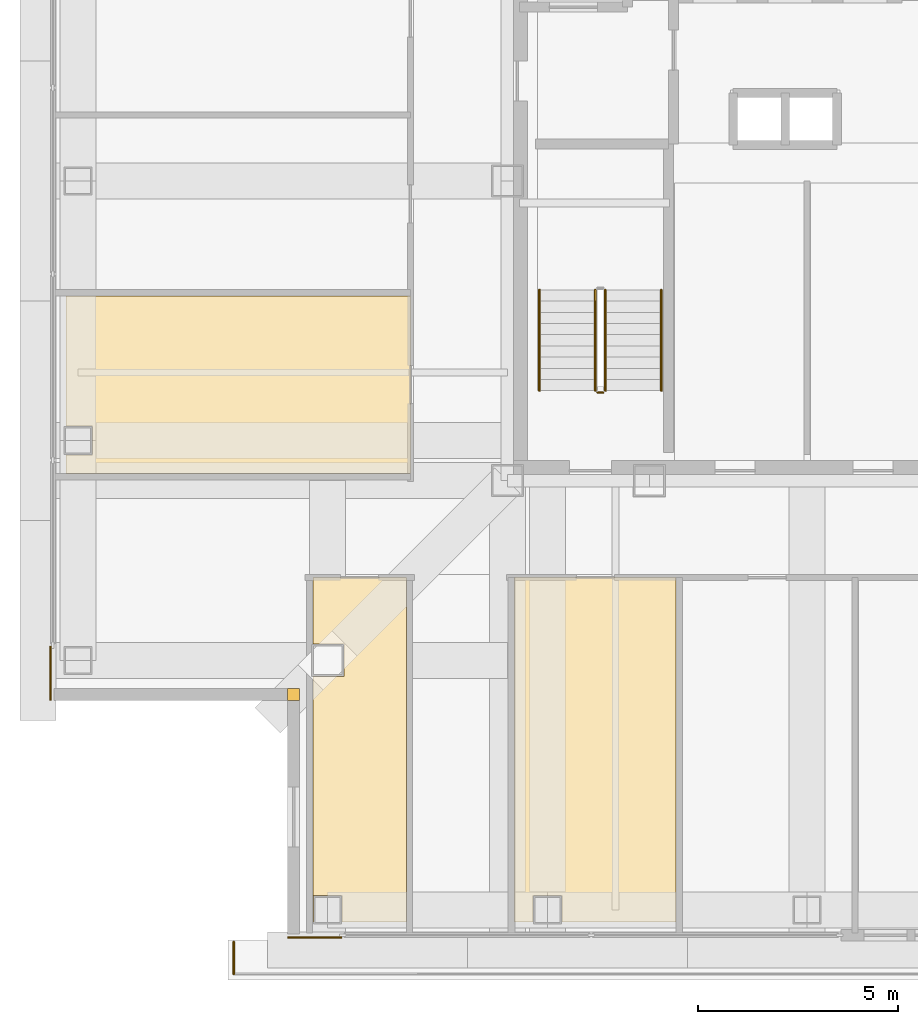
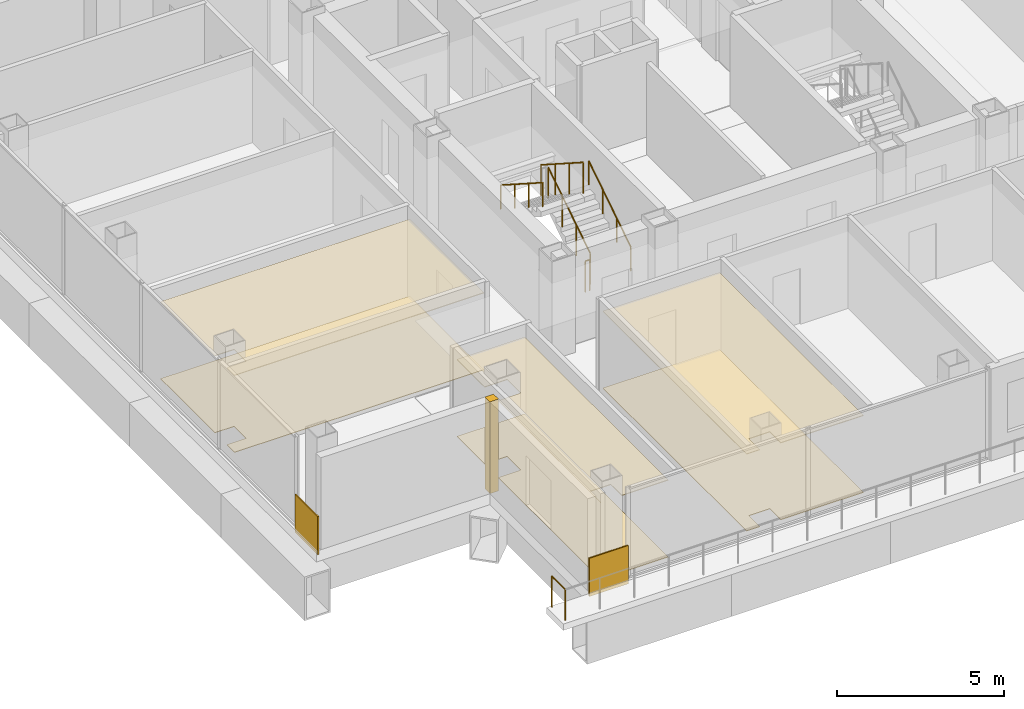
# One storey, part 10 of 15: 9 coverings, 6 railings.
"""IFC4 building model written with IfcOpenShell, lengths in metres."""

from ifc_helpers import new_model, si_unit, direction, frame, frame_2d, origin, origin_2d, place, context, subcontext, project, spatial, polyline, rectangle, circle, outline, extrude, material, layer, layer_set, type_object, element, save


model = new_model("IFC4")

# Units and contexts
model_context = context("Model", 3, precision=1e-05, world=origin(), true_north=direction((0.0, 1.0)))
body_context = subcontext(model_context, "Body", "Model", "MODEL_VIEW")
ifc_project = project(units=[si_unit("LENGTHUNIT", "METRE"), si_unit("AREAUNIT", "SQUARE_METRE"), si_unit("VOLUMEUNIT", "CUBIC_METRE"), si_unit("PLANEANGLEUNIT", "RADIAN"), si_unit("MASSUNIT", "GRAM", prefix="KILO")], contexts=[model_context])

# Site, building, storey
site_placement = place(None, origin())
site = spatial("IfcSite", under=ifc_project, at=site_placement, CompositionType="ELEMENT")
building_placement = place(site_placement, origin())
building = spatial("IfcBuilding", under=site, at=building_placement, Name="Trevonay Congress Spire", CompositionType="ELEMENT")
storey_placement = place(building_placement, frame((0.0, 0.0, 232.39990234375)))
storey = spatial("IfcBuildingStorey", under=building, at=storey_placement, Name="L60", CompositionType="ELEMENT", Elevation=232.39990234375)

# Coverings
ifc_material_1 = material(Name="Acoustic Mineral Fibre Board", Category="gypsum")
ifc_layer_1 = layer(ifc_material_1, 0.02490234375, Name="Acoustic Mineral Fibre Board")
ifc_layer_set_1 = layer_set([ifc_layer_1], Name="Acoustic Mineral Fibre Board")
covering_type_1 = type_object("IfcCoveringType", Name="COV-CEIL-ACOUSTIC", PredefinedType="CEILING", material=ifc_layer_set_1)
covering_1_placement = place(storey_placement, frame((0.0, 0.0, 2.81005859375)))
element("IfcCovering", 1, at=covering_1_placement, inside=storey, type_object=covering_type_1, Name="L60 Ambassador Corner Office acoustic suspended ceiling", PredefinedType="CEILING", context=body_context, shape_type="SweptSolid", body=[
    extrude(outline(polyline([(-12.3701171875, -18.550048828125), (-12.3701171875, -12.409912109375), (-11.590087890625, -12.409912109375), (-11.590087890625, -11.590087890625), (-12.3701171875, -11.590087890625), (-12.3701171875, -9.929931640625), (-10.030029296875, -9.929931640625), (-10.030029296875, -18.550048828125), (-11.639892578125, -18.550048828125), (-11.639892578125, -17.889892578125), (-12.360107421875, -17.889892578125), (-12.360107421875, -18.550048828125), (-12.3701171875, -18.550048828125)])), origin(), (0.0, 0.0, 1.0), 0.025146484375),
])
covering_2_placement = place(storey_placement, frame((0.0, 0.0, 2.81005859375)))
element("IfcCovering", 2, at=covering_2_placement, inside=storey, type_object=covering_type_1, Name="L60 Consular Visa Office acoustic suspended ceiling", PredefinedType="CEILING", context=body_context, shape_type="SweptSolid", body=[
    extrude(outline(polyline([(-7.320068359375, -18.550048828125), (-7.320068359375, -9.929931640625), (-3.280029296875, -9.929931640625), (-3.280029296875, -18.550048828125), (-6.139892578125, -18.550048828125), (-6.139892578125, -17.889892578125), (-6.860107421875, -17.889892578125), (-6.860107421875, -18.550048828125), (-7.320068359375, -18.550048828125)])), origin(), (0.0, 0.0, 1.0), 0.025146484375),
])
covering_3_placement = place(storey_placement, frame((0.0, 0.0, 2.81005859375)))
element("IfcCovering", 3, at=covering_3_placement, inside=storey, type_object=covering_type_1, Name="L60 Cultural Attache Office acoustic suspended ceiling", PredefinedType="CEILING", context=body_context, shape_type="SweptSolid", body=[
    extrude(outline(polyline([(-18.550048828125, -2.8798828125), (-9.929931640625, -2.8798828125), (-9.929931640625, -7.320068359375), (-18.550048828125, -7.320068359375), (-18.550048828125, -6.860107421875), (-17.889892578125, -6.860107421875), (-17.889892578125, -6.139892578125), (-18.550048828125, -6.139892578125), (-18.550048828125, -2.8798828125)])), origin(), (0.0, 0.0, 1.0), 0.025146484375),
])
ifc_material_2 = material(Name="Engineered Oak Flooring", Category="wood")
ifc_layer_2 = layer(ifc_material_2, 0.01806640625, Name="Engineered Oak Flooring")
ifc_layer_set_2 = layer_set([ifc_layer_2], Name="Engineered Oak Flooring")
covering_type_2 = type_object("IfcCoveringType", Name="COV-FLOOR-TIMBER", PredefinedType="FLOORING", material=ifc_layer_set_2)
covering_4_placement = place(storey_placement, origin())
element("IfcCovering", 4, at=covering_4_placement, inside=storey, type_object=covering_type_2, Name="L60 Ambassador Corner Office floor finish", PredefinedType="FLOORING", context=body_context, shape_type="SweptSolid", body=[
    extrude(outline(polyline([(-12.3701171875, -18.550048828125), (-12.3701171875, -12.409912109375), (-11.590087890625, -12.409912109375), (-11.590087890625, -11.590087890625), (-12.3701171875, -11.590087890625), (-12.3701171875, -9.929931640625), (-10.030029296875, -9.929931640625), (-10.030029296875, -18.550048828125), (-11.639892578125, -18.550048828125), (-11.639892578125, -17.889892578125), (-12.360107421875, -17.889892578125), (-12.360107421875, -18.550048828125), (-12.3701171875, -18.550048828125)])), origin(), (0.0, 0.0, 1.0), 0.01806640625),
])
covering_5_placement = place(storey_placement, origin())
element("IfcCovering", 5, at=covering_5_placement, inside=storey, type_object=covering_type_2, Name="L60 Consular Visa Office floor finish", PredefinedType="FLOORING", context=body_context, shape_type="SweptSolid", body=[
    extrude(outline(polyline([(-7.320068359375, -18.550048828125), (-7.320068359375, -9.929931640625), (-3.280029296875, -9.929931640625), (-3.280029296875, -18.550048828125), (-6.139892578125, -18.550048828125), (-6.139892578125, -17.889892578125), (-6.860107421875, -17.889892578125), (-6.860107421875, -18.550048828125), (-7.320068359375, -18.550048828125)])), origin(), (0.0, 0.0, 1.0), 0.01806640625),
])
covering_6_placement = place(storey_placement, origin())
element("IfcCovering", 6, at=covering_6_placement, inside=storey, type_object=covering_type_2, Name="L60 Cultural Attache Office floor finish", PredefinedType="FLOORING", context=body_context, shape_type="SweptSolid", body=[
    extrude(outline(polyline([(-18.550048828125, -2.8798828125), (-9.929931640625, -2.8798828125), (-9.929931640625, -7.320068359375), (-18.550048828125, -7.320068359375), (-18.550048828125, -6.860107421875), (-17.889892578125, -6.860107421875), (-17.889892578125, -6.139892578125), (-18.550048828125, -6.139892578125), (-18.550048828125, -2.8798828125)])), origin(), (0.0, 0.0, 1.0), 0.01806640625),
])
ifc_material_3 = material(Name="Pale Anodised Aluminium EN AW-6063-T6", Category="aluminium")
ifc_layer_3 = layer(ifc_material_3, 0.0400390625, Name="Pale Anodised Aluminium EN AW-6063-T6")
ifc_layer_set_3 = layer_set([ifc_layer_3], Name="Pale Anodised Aluminium EN AW-6063-T6")
covering_type_3 = type_object("IfcCoveringType", Name="COV-SPANDREL-PALE-METAL", PredefinedType="CLADDING", material=ifc_layer_set_3)
covering_7_placement = place(storey_placement, origin())
element("IfcCovering", 7, at=covering_7_placement, inside=storey, type_object=covering_type_3, Name="L60 SW re-entrant notch corner closure trim", PredefinedType="CLADDING", context=body_context, shape_type="SweptSolid", body=[
    extrude(outline(polyline([(-13.0, -13.0), (-12.699951171875, -13.0), (-12.699951171875, -12.699951171875), (-13.0, -12.699951171875), (-13.0, -13.0)])), origin(), (0.0, 0.0, 1.0), 3.360107421875),
])
for number, where, z_axis, x_axis, name in (
    (8, (-18.93994140625, -11.64990234375, -0.14990234375), (0.0, 0.0, 1.0), (0.0, -1.0, 0.0), "L60 SW corner pier spandrel cladding 1"),
    (9, (-11.64990234375, -18.93994140625, -0.14990234375), (0.0, 0.0, 1.0), (-1.0, 0.0, 0.0), "L60 SW corner pier spandrel cladding 2"),
):
    element("IfcCovering", number, at=place(storey_placement, frame(where, z_axis=z_axis, x_axis=x_axis)), inside=storey, type_object=covering_type_3, Name=name, PredefinedType="CLADDING", context=body_context, shape_type="SweptSolid", body=[
        extrude(rectangle(XDim=1.35009765625, YDim=0.0400390625, at=frame_2d((0.675048828125, 0.0))), origin(), (0.0, 0.0, 1.0), 1.39990234375),
    ])

# Railings
railing_type_1 = type_object("IfcRailingType", Name="RAL-BALUSTRADE-115", PredefinedType="BALUSTRADE", material=ifc_material_3)
railing_1_placement = place(storey_placement, frame((-14.35009765625, -19.050048828125, 0.0)))
element("IfcRailing", 10, at=railing_1_placement, inside=storey, type_object=railing_type_1, Name="L60 perimeter safety guard GRD-L60-SKY-S-1", PredefinedType="BALUSTRADE", context=body_context, shape_type="SweptSolid", body=[
    extrude(circle(Radius=0.02392578125, at=origin_2d()), frame((0.0, 0.0, 1.1259765625), z_axis=(0.0, -1.0, 0.0), x_axis=(1.0, 0.0, 0.0)), (0.0, 0.0, 1.0), 0.800048828125),
    extrude(circle(Radius=0.02099609375, at=origin_2d()), origin(), (0.0, 0.0, 1.0), 1.101806640625),
    extrude(circle(Radius=0.02099609375, at=origin_2d()), frame((0.0, -0.800048828125, 0.0)), (0.0, 0.0, 1.0), 1.101806640625),
])
railing_type_2 = type_object("IfcRailingType", Name="RAL-STAIR-GUARD-110", PredefinedType="GUARDRAIL", material=ifc_material_3)
railing_2_placement = place(storey_placement, frame((-5.050048828125, -5.25, 0.18017578125)))
element("IfcRailing", 11, at=railing_2_placement, inside=storey, type_object=railing_type_2, Name="L60 ST-1 stair guard 1", PredefinedType="GUARDRAIL", context=body_context, shape_type="SweptSolid", body=[
    extrude(circle(Radius=0.02392578125, at=origin_2d()), frame((0.0, 0.0, 1.1259765625), z_axis=(0.0, 0.841199657755, 0.540724639528), x_axis=(-1.0, 0.0, 0.0)), (0.0, 0.0, 1.0), 2.995849609375),
    extrude(circle(Radius=0.02099609375, at=origin_2d()), origin(), (0.0, 0.0, 1.0), 1.101806640625),
    extrude(circle(Radius=0.02099609375, at=origin_2d()), frame((0.0, 0.840087890625, 0.5400390625)), (0.0, 0.0, 1.0), 1.101806640625),
    extrude(circle(Radius=0.02099609375, at=origin_2d()), frame((0.0, 1.679931640625, 1.079833984375)), (0.0, 0.0, 1.0), 1.101806640625),
    extrude(circle(Radius=0.02099609375, at=origin_2d()), frame((0.0, 2.52001953125, 1.619873046875)), (0.0, 0.0, 1.0), 1.101806640625),
])
railing_3_placement = place(storey_placement, frame((-5.300048828125, -2.72998046875, 1.97998046875)))
element("IfcRailing", 12, at=railing_3_placement, inside=storey, type_object=railing_type_2, Name="L60 ST-1 stair guard 3", PredefinedType="GUARDRAIL", context=body_context, shape_type="SweptSolid", body=[
    extrude(circle(Radius=0.02392578125, at=origin_2d()), frame((0.0, 0.0, 1.1259765625), z_axis=(0.0, -0.841162588446, 0.540782303519), x_axis=(1.0, 0.0, 0.0)), (0.0, 0.0, 1.0), 2.995849609375),
    extrude(circle(Radius=0.02099609375, at=origin_2d()), origin(), (0.0, 0.0, 1.0), 1.101806640625),
    extrude(circle(Radius=0.02099609375, at=origin_2d()), frame((0.0, -0.840087890625, 0.5400390625)), (0.0, 0.0, 1.0), 1.101806640625),
    extrude(circle(Radius=0.02099609375, at=origin_2d()), frame((0.0, -1.679931640625, 1.080078125)), (0.0, 0.0, 1.0), 1.101806640625),
    extrude(circle(Radius=0.02099609375, at=origin_2d()), frame((0.0, -2.52001953125, 1.6201171875)), (0.0, 0.0, 1.0), 1.101806640625),
])
railing_4_placement = place(storey_placement, frame((-5.10009765625, -5.300048828125, 0.0)))
element("IfcRailing", 13, at=railing_4_placement, inside=storey, type_object=railing_type_2, Name="L60 ST-1 stair guard 4", PredefinedType="GUARDRAIL", context=body_context, shape_type="SweptSolid", body=[
    extrude(circle(Radius=0.02392578125, at=origin_2d()), frame((0.0, 0.0, 1.1259765625), z_axis=(-1.0, 0.0, 0.0), x_axis=(0.0, -1.0, 0.0)), (0.0, 0.0, 1.0), 0.14990234375),
    extrude(circle(Radius=0.02099609375, at=origin_2d()), origin(), (0.0, 0.0, 1.0), 1.101806640625),
    extrude(circle(Radius=0.02099609375, at=origin_2d()), frame((-0.14990234375, 0.0, 0.0)), (0.0, 0.0, 1.0), 1.101806640625),
])
railing_type_3 = type_object("IfcRailingType", Name="RAL-STAIR-HANDRAIL", PredefinedType="HANDRAIL", material=ifc_material_3)
railing_5_placement = place(storey_placement, frame((-3.64990234375, -5.25, 0.18017578125)))
element("IfcRailing", 14, at=railing_5_placement, inside=storey, type_object=railing_type_3, Name="L60 ST-1 stair handrail 1", PredefinedType="HANDRAIL", context=body_context, shape_type="SweptSolid", body=[
    extrude(circle(Radius=0.02392578125, at=origin_2d()), frame((0.0, 0.0, 0.8759765625), z_axis=(0.0, 0.841199657755, 0.540724639528), x_axis=(-1.0, 0.0, 0.0)), (0.0, 0.0, 1.0), 2.995849609375),
    extrude(circle(Radius=0.02099609375, at=origin_2d()), origin(), (0.0, 0.0, 1.0), 0.851806640625),
    extrude(circle(Radius=0.02099609375, at=origin_2d()), frame((0.0, 0.840087890625, 0.5400390625)), (0.0, 0.0, 1.0), 0.851806640625),
    extrude(circle(Radius=0.02099609375, at=origin_2d()), frame((0.0, 1.679931640625, 1.079833984375)), (0.0, 0.0, 1.0), 0.851806640625),
    extrude(circle(Radius=0.02099609375, at=origin_2d()), frame((0.0, 2.52001953125, 1.619873046875)), (0.0, 0.0, 1.0), 0.851806640625),
])
railing_6_placement = place(storey_placement, frame((-6.699951171875, -2.72998046875, 1.97998046875)))
element("IfcRailing", 15, at=railing_6_placement, inside=storey, type_object=railing_type_3, Name="L60 ST-1 stair handrail 2", PredefinedType="HANDRAIL", context=body_context, shape_type="SweptSolid", body=[
    extrude(circle(Radius=0.02392578125, at=origin_2d()), frame((0.0, 0.0, 0.8759765625), z_axis=(0.0, -0.841162588446, 0.540782303519), x_axis=(1.0, 0.0, 0.0)), (0.0, 0.0, 1.0), 2.995849609375),
    extrude(circle(Radius=0.02099609375, at=origin_2d()), origin(), (0.0, 0.0, 1.0), 0.851806640625),
    extrude(circle(Radius=0.02099609375, at=origin_2d()), frame((0.0, -0.840087890625, 0.5400390625)), (0.0, 0.0, 1.0), 0.851806640625),
    extrude(circle(Radius=0.02099609375, at=origin_2d()), frame((0.0, -1.679931640625, 1.080078125)), (0.0, 0.0, 1.0), 0.851806640625),
    extrude(circle(Radius=0.02099609375, at=origin_2d()), frame((0.0, -2.52001953125, 1.6201171875)), (0.0, 0.0, 1.0), 0.851806640625),
])

save(model, "model.ifc")
